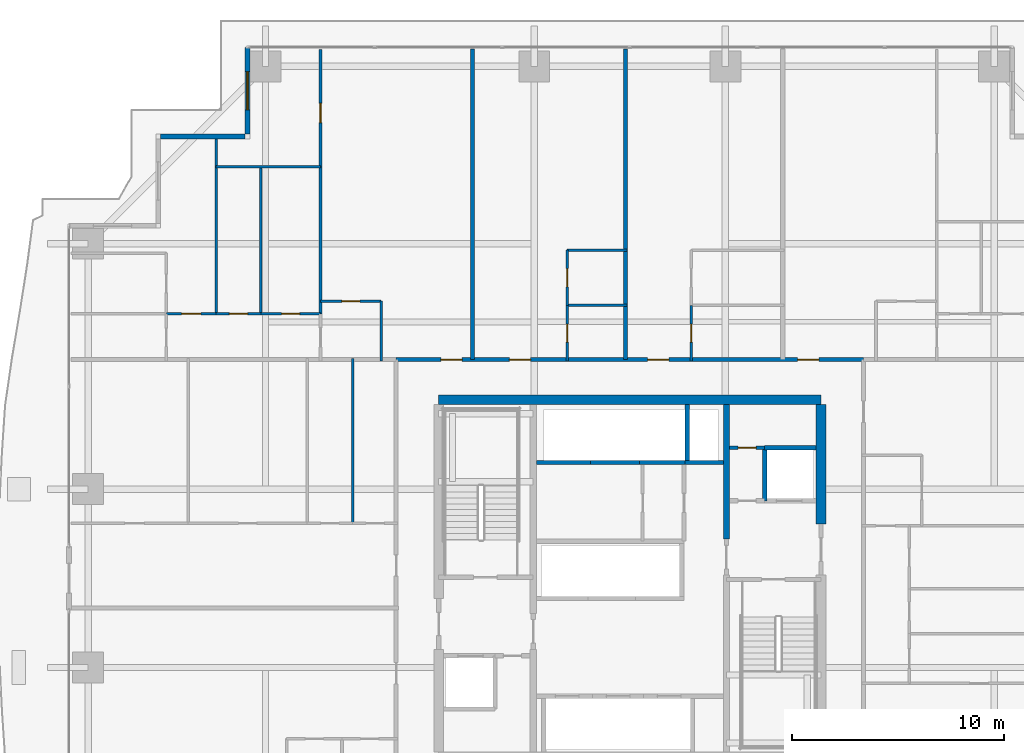
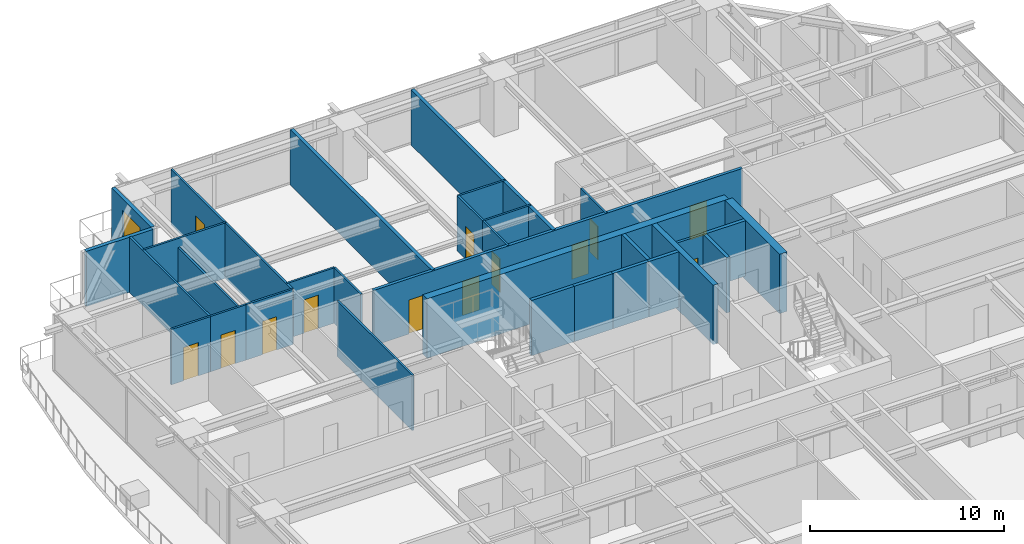
# One storey, part 31 of 41: 32 walls, 13 doors, 1 window, 14 openings.
"""IFC4 building model written with IfcOpenShell, lengths in metres."""

from ifc_helpers import new_model, si_unit, direction, frame, frame_2d, origin, place, context, subcontext, project, spatial, rectangle, extrude, source, transform, mapped, material, layer, layer_set, type_object, element, fill, save


model = new_model("IFC4")

# Units and contexts
model_context = context("Model", 3, precision=1e-05, world=origin(), true_north=direction((0.0, 1.0)))
body_context = subcontext(model_context, "Body", "Model", "MODEL_VIEW")
ifc_project = project(units=[si_unit("LENGTHUNIT", "METRE"), si_unit("AREAUNIT", "SQUARE_METRE"), si_unit("VOLUMEUNIT", "CUBIC_METRE"), si_unit("PLANEANGLEUNIT", "RADIAN"), si_unit("MASSUNIT", "GRAM", prefix="KILO")], contexts=[model_context])

# Site, building, storey
site_placement = place(None, origin())
site = spatial("IfcSite", under=ifc_project, at=site_placement, CompositionType="ELEMENT")
building_placement = place(site_placement, origin())
building = spatial("IfcBuilding", under=site, at=building_placement, Name="Serunith Strait Residences", CompositionType="ELEMENT")
storey_placement = place(building_placement, frame((0.0, 0.0, 45.449951171875)))
storey = spatial("IfcBuildingStorey", under=building, at=storey_placement, Name="L10", CompositionType="ELEMENT", Elevation=45.449951171875)

# Wall, opening, window
ifc_material_1 = material(Name="Pale-Champagne Aluminium Insulated Panel", Category="aluminium")
ifc_layer_1 = layer(ifc_material_1, 0.219970703125, Name="Pale-Champagne Aluminium Insulated Panel")
ifc_layer_set_1 = layer_set([ifc_layer_1], Name="Pale-Champagne Aluminium Insulated Panel")
wall_type_1 = type_object("IfcWallType", Name="EW-ALUM-220", PredefinedType="ELEMENTEDWALL", material=ifc_layer_set_1)
wall_1_placement = place(storey_placement, frame((14.39990234375, 50.199951171875, 0.0), z_axis=(0.0, 0.0, 1.0), x_axis=(0.0, -1.0, 0.0)))
wall_1 = element("IfcWall", 1, at=wall_1_placement, inside=storey, type_object=wall_type_1, Name="L10 Girih Serrated Corner Wall 12", PredefinedType="ELEMENTEDWALL", context=body_context, shape_type="SweptSolid", body=[
    extrude(rectangle(XDim=4.08984375, YDim=0.219970703125, at=frame_2d((2.044921875, 0.0))), origin(), (0.0, 0.0, 1.0), 3.47509765625),
])
opening_1_placement = place(wall_1_placement, frame((1.14501953125, 0.0, 0.64990234375)))
opening_1 = element("IfcOpeningElement", 2, at=opening_1_placement, cuts=wall_1, Name="Opening W-01", PredefinedType="OPENING", context=body_context, shape_type="SweptSolid", body=[
    extrude(rectangle(XDim=1.800048828125, YDim=2.10009765625, at=frame_2d((0.89990234375, 1.050048828125))), frame((0.0, 0.1201171875, 0.0), z_axis=(0.0, -1.0, 0.0), x_axis=(1.0, 0.0, 0.0)), (0.0, 0.0, 1.0), 0.239990234375),
])
ifc_material_2 = material(Name="Ceramic-Fritted Operable Aluminium Window Glass", Category="aluminium")
window_type = type_object("IfcWindowType", Name="WIN-C1", PartitioningType="DOUBLE_PANEL_VERTICAL", PredefinedType="WINDOW", material=ifc_material_2)
shared_shape_1 = source(origin(), body_context, "Body", "SweptSolid", [
    extrude(rectangle(XDim=1.800048828125, YDim=2.10009765625, at=frame_2d((0.89990234375, 1.050048828125))), frame((0.0, 0.030029296875, 0.0), z_axis=(0.0, -1.0, 0.0), x_axis=(1.0, 0.0, 0.0)), (0.0, 0.0, 1.0), 0.06005859375),
])
window_placement = place(opening_1_placement, origin())
window = element("IfcWindow", 3, at=window_placement, inside=storey, type_object=window_type, Name="L10 Corner Operable Fritted Window 12", OverallHeight=2.10009765625, OverallWidth=1.800048828125, PartitioningType="SINGLE_PANEL", PredefinedType="WINDOW", context=body_context, shape_type="MappedRepresentation", body=[
    mapped(shared_shape_1, transform((0.0, 0.0, 0.0), scale=1.0)),
])
fill(opening_1, window)

# Wall
wall_2_placement = place(storey_placement, frame((14.2900390625, 46.0, 0.0), z_axis=(0.0, 0.0, 1.0), x_axis=(-1.0, 0.0, 0.0)))
element("IfcWall", 4, at=wall_2_placement, inside=storey, type_object=wall_type_1, Name="L10 Girih Serrated Corner Wall 13", PredefinedType="ELEMENTEDWALL", context=body_context, shape_type="SweptSolid", body=[
    extrude(rectangle(XDim=3.97998046875, YDim=0.219970703125, at=frame_2d((1.989990234375, 0.0))), origin(), (0.0, 0.0, 1.0), 3.47509765625),
])

# Wall, opening, door
ifc_material_3 = material(Name="Fire-rated masonry service closet wall", Category="masonry")
ifc_layer_2 = layer(ifc_material_3, 0.14990234375, Name="Fire-rated masonry service closet wall")
ifc_layer_set_2 = layer_set([ifc_layer_2], Name="Fire-rated masonry service closet wall")
wall_type_2 = type_object("IfcWallType", Name="IW-BOH-150", PredefinedType="PARTITIONING", material=ifc_layer_set_2)
wall_3_placement = place(storey_placement, frame((37.10009765625, 31.35009765625, 0.0), z_axis=(0.0, 0.0, 1.0), x_axis=(1.0, 0.0, 0.0)))
wall_3 = element("IfcWall", 5, at=wall_3_placement, inside=storey, type_object=wall_type_2, Name="L10 Partition Wall 012", PredefinedType="PARTITIONING", context=body_context, shape_type="SweptSolid", body=[
    extrude(rectangle(XDim=1.64794921875, YDim=0.14990234375, at=frame_2d((0.823974609375, 0.0))), origin(), (0.0, 0.0, 1.0), 3.489990234375),
])
opening_2_placement = place(wall_3_placement, frame((0.39892578125, 0.0, 0.0)))
opening_2 = element("IfcOpeningElement", 6, at=opening_2_placement, cuts=wall_3, Name="Opening FD-850", PredefinedType="OPENING", context=body_context, shape_type="SweptSolid", body=[
    extrude(rectangle(XDim=0.85009765625, YDim=2.10009765625, at=frame_2d((0.425048828125, 1.050048828125))), frame((0.0, 0.0849609375, 0.0), z_axis=(0.0, -1.0, 0.0), x_axis=(1.0, 0.0, 0.0)), (0.0, 0.0, 1.0), 0.169921875),
])
ifc_material_4 = material(Name="Powder-coated steel service closet door", Category="steel")
door_type_1 = type_object("IfcDoorType", Name="FD-BOH-850", OperationType="NOTDEFINED", PredefinedType="DOOR", material=ifc_material_4)
shared_shape_2 = source(origin(), body_context, "Body", "SweptSolid", [
    extrude(rectangle(XDim=0.85009765625, YDim=2.10009765625, at=frame_2d((0.425048828125, 1.050048828125))), frame((0.0, 0.02490234375, 0.0), z_axis=(0.0, -1.0, 0.0), x_axis=(1.0, 0.0, 0.0)), (0.0, 0.0, 1.0), 0.050048828125),
])
door_1_placement = place(opening_2_placement, origin())
door_1 = element("IfcDoor", 7, at=door_1_placement, inside=storey, type_object=door_type_1, Name="L10 Spare Parts Store Door", OperationType="SINGLE_SWING_LEFT", OverallHeight=2.10009765625, OverallWidth=0.85009765625, PredefinedType="DOOR", context=body_context, shape_type="MappedRepresentation", body=[
    mapped(shared_shape_2, transform((0.0, 0.0, 0.0), scale=1.0)),
])
fill(opening_2, door_1)

# Wall, openings, doors
ifc_material_5 = material(Name="Fire-rated acoustic gypsum partition")
ifc_layer_3 = layer(ifc_material_5, 0.179931640625, Name="Fire-rated acoustic gypsum partition")
ifc_layer_set_3 = layer_set([ifc_layer_3], Name="Fire-rated acoustic gypsum partition")
wall_type_3 = type_object("IfcWallType", Name="IW-CORR-180", PredefinedType="PARTITIONING", material=ifc_layer_set_3)
wall_4_placement = place(storey_placement, frame((21.402099609375, 35.5, 0.0), z_axis=(0.0, 0.0, 1.0), x_axis=(1.0, 0.0, 0.0)))
wall_4 = element("IfcWall", 8, at=wall_4_placement, inside=storey, type_object=wall_type_3, Name="L10 Partition Wall 026", PredefinedType="PARTITIONING", context=body_context, shape_type="SweptSolid", body=[
    extrude(rectangle(XDim=21.995849609375, YDim=0.179931640625, at=frame_2d((10.998046875, 0.0))), origin(), (0.0, 0.0, 1.0), 3.489990234375),
])
opening_3_placement = place(wall_4_placement, frame((2.10009765625, 0.0, 0.0)))
opening_3 = element("IfcOpeningElement", 9, at=opening_3_placement, cuts=wall_4, Name="Opening D-APT1000", PredefinedType="OPENING", context=body_context, shape_type="SweptSolid", body=[
    extrude(rectangle(XDim=1.0, YDim=2.14990234375, at=frame_2d((0.5, 1.074951171875))), frame((0.0, 0.10009765625, 0.0), z_axis=(0.0, -1.0, 0.0), x_axis=(1.0, 0.0, 0.0)), (0.0, 0.0, 1.0), 0.199951171875),
])
opening_4_placement = place(wall_4_placement, frame((5.3330078125, 0.0, 0.0)))
opening_4 = element("IfcOpeningElement", 10, at=opening_4_placement, cuts=wall_4, Name="Opening D-APT1000", PredefinedType="OPENING", context=body_context, shape_type="SweptSolid", body=[
    extrude(rectangle(XDim=1.0, YDim=2.14990234375, at=frame_2d((0.5, 1.074951171875))), frame((0.0, 0.10009765625, 0.0), z_axis=(0.0, -1.0, 0.0), x_axis=(1.0, 0.0, 0.0)), (0.0, 0.0, 1.0), 0.199951171875),
])
opening_5_placement = place(wall_4_placement, frame((11.842041015625, 0.0, 0.0)))
opening_5 = element("IfcOpeningElement", 11, at=opening_5_placement, cuts=wall_4, Name="Opening D-APT1000", PredefinedType="OPENING", context=body_context, shape_type="SweptSolid", body=[
    extrude(rectangle(XDim=1.0, YDim=2.14990234375, at=frame_2d((0.5, 1.074951171875))), frame((0.0, 0.10009765625, 0.0), z_axis=(0.0, -1.0, 0.0), x_axis=(1.0, 0.0, 0.0)), (0.0, 0.0, 1.0), 0.199951171875),
])
opening_6_placement = place(wall_4_placement, frame((18.89599609375, 0.0, 0.0)))
opening_6 = element("IfcOpeningElement", 12, at=opening_6_placement, cuts=wall_4, Name="Opening D-APT1000", PredefinedType="OPENING", context=body_context, shape_type="SweptSolid", body=[
    extrude(rectangle(XDim=1.0, YDim=2.14990234375, at=frame_2d((0.5, 1.074951171875))), frame((0.0, 0.10009765625, 0.0), z_axis=(0.0, -1.0, 0.0), x_axis=(1.0, 0.0, 0.0)), (0.0, 0.0, 1.0), 0.199951171875),
])
ifc_material_6 = material(Name="Solid timber engineered fire door", Category="wood")
door_type_2 = type_object("IfcDoorType", Name="ID-APT-1000", OperationType="NOTDEFINED", PredefinedType="DOOR", material=ifc_material_6)
shared_shape_3 = source(origin(), body_context, "Body", "SweptSolid", [
    extrude(rectangle(XDim=1.0, YDim=2.14990234375, at=frame_2d((0.5, 1.074951171875))), frame((0.0, 0.02490234375, 0.0), z_axis=(0.0, -1.0, 0.0), x_axis=(1.0, 0.0, 0.0)), (0.0, 0.0, 1.0), 0.050048828125),
])
door_2_placement = place(opening_3_placement, origin())
door_2 = element("IfcDoor", 13, at=door_2_placement, inside=storey, type_object=door_type_2, Name="L10 Unit 04 Entrance Door", OperationType="SINGLE_SWING_LEFT", OverallHeight=2.14990234375, OverallWidth=1.0, PredefinedType="DOOR", context=body_context, shape_type="MappedRepresentation", body=[
    mapped(shared_shape_3, transform((0.0, 0.0, 0.0), scale=1.0)),
])
fill(opening_3, door_2)
door_3_placement = place(opening_4_placement, origin())
door_3 = element("IfcDoor", 14, at=door_3_placement, inside=storey, type_object=door_type_2, Name="L10 Unit 05 Entrance Door", OperationType="SINGLE_SWING_RIGHT", OverallHeight=2.14990234375, OverallWidth=1.0, PredefinedType="DOOR", context=body_context, shape_type="MappedRepresentation", body=[
    mapped(shared_shape_3, transform((0.0, 0.0, 0.0), scale=1.0)),
])
fill(opening_4, door_3)
door_4_placement = place(opening_5_placement, origin())
door_4 = element("IfcDoor", 15, at=door_4_placement, inside=storey, type_object=door_type_2, Name="L10 Unit 06 Entrance Door", OperationType="SINGLE_SWING_LEFT", OverallHeight=2.14990234375, OverallWidth=1.0, PredefinedType="DOOR", context=body_context, shape_type="MappedRepresentation", body=[
    mapped(shared_shape_3, transform((0.0, 0.0, 0.0), scale=1.0)),
])
fill(opening_5, door_4)
door_5_placement = place(opening_6_placement, origin())
door_5 = element("IfcDoor", 16, at=door_5_placement, inside=storey, type_object=door_type_2, Name="L10 Unit 07 Entrance Door", OperationType="SINGLE_SWING_RIGHT", OverallHeight=2.14990234375, OverallWidth=1.0, PredefinedType="DOOR", context=body_context, shape_type="MappedRepresentation", body=[
    mapped(shared_shape_3, transform((0.0, 0.0, 0.0), scale=1.0)),
])
fill(opening_6, door_5)

# Wall, opening, door
ifc_material_7 = material(Name="Lightweight steel-stud gypsum partition", Category="steel")
ifc_layer_4 = layer(ifc_material_7, 0.1201171875, Name="Lightweight steel-stud gypsum partition")
ifc_layer_set_4 = layer_set([ifc_layer_4], Name="Lightweight steel-stud gypsum partition")
wall_type_4 = type_object("IfcWallType", Name="IW-PART-120", PredefinedType="PARTITIONING", material=ifc_layer_set_4)
wall_5_placement = place(storey_placement, frame((17.840087890625, 38.25, 0.0), z_axis=(0.0, 0.0, 1.0), x_axis=(1.0, 0.0, 0.0)))
wall_5 = element("IfcWall", 17, at=wall_5_placement, inside=storey, type_object=wall_type_4, Name="L10 Partition Wall 066", PredefinedType="PARTITIONING", context=body_context, shape_type="SweptSolid", body=[
    extrude(rectangle(XDim=2.849853515625, YDim=0.1201171875, at=frame_2d((1.4248046875, 0.0))), origin(), (0.0, 0.0, 1.0), 3.489990234375),
])
opening_7_placement = place(wall_5_placement, frame((1.0, 0.0, 0.0)))
opening_7 = element("IfcOpeningElement", 18, at=opening_7_placement, cuts=wall_5, Name="Opening D-RM850", PredefinedType="OPENING", context=body_context, shape_type="SweptSolid", body=[
    extrude(rectangle(XDim=0.85009765625, YDim=2.10009765625, at=frame_2d((0.425048828125, 1.050048828125))), frame((0.0, 0.070068359375, 0.0), z_axis=(0.0, -1.0, 0.0), x_axis=(1.0, 0.0, 0.0)), (0.0, 0.0, 1.0), 0.14013671875),
])
ifc_material_8 = material(Name="Engineered timber flush study and kitchen door", Category="wood")
door_type_3 = type_object("IfcDoorType", Name="ID-ROOM-850", OperationType="NOTDEFINED", PredefinedType="DOOR", material=ifc_material_8)
door_6_placement = place(opening_7_placement, origin())
door_6 = element("IfcDoor", 19, at=door_6_placement, inside=storey, type_object=door_type_3, Name="L10 Kitchen 1004 Door", OperationType="SINGLE_SWING_RIGHT", OverallHeight=2.10009765625, OverallWidth=0.85009765625, PredefinedType="DOOR", context=body_context, shape_type="MappedRepresentation", body=[
    mapped(shared_shape_2, transform((0.0, 0.0, 0.0), scale=1.0)),
])
fill(opening_7, door_6)

# Wall
wall_6_placement = place(storey_placement, frame((20.68994140625, 38.25, 0.0), z_axis=(0.0, 0.0, 1.0), x_axis=(0.0, -1.0, 0.0)))
element("IfcWall", 20, at=wall_6_placement, inside=storey, type_object=wall_type_4, Name="L10 Partition Wall 067", PredefinedType="PARTITIONING", context=body_context, shape_type="SweptSolid", body=[
    extrude(rectangle(XDim=2.81005859375, YDim=0.1201171875, at=frame_2d((1.405029296875, 0.0))), origin(), (0.0, 0.0, 1.0), 3.489990234375),
])

# Wall, opening, door
wall_7_placement = place(storey_placement, frame((17.840087890625, 50.10498046875, 0.0), z_axis=(0.0, 0.0, 1.0), x_axis=(0.0, -1.0, 0.0)))
wall_7 = element("IfcWall", 21, at=wall_7_placement, inside=storey, type_object=wall_type_4, Name="L10 Partition Wall 069", PredefinedType="PARTITIONING", context=body_context, shape_type="SweptSolid", body=[
    extrude(rectangle(XDim=5.5380859375, YDim=0.1201171875, at=frame_2d((2.76904296875, 0.0))), origin(), (0.0, 0.0, 1.0), 3.489990234375),
])
opening_8_placement = place(wall_7_placement, frame((2.551025390625, 0.0, 0.0)))
opening_8 = element("IfcOpeningElement", 22, at=opening_8_placement, cuts=wall_7, Name="Opening D-RM900", PredefinedType="OPENING", context=body_context, shape_type="SweptSolid", body=[
    extrude(rectangle(XDim=0.89990234375, YDim=2.10009765625, at=frame_2d((0.449951171875, 1.050048828125))), frame((0.0, 0.070068359375, 0.0), z_axis=(0.0, -1.0, 0.0), x_axis=(1.0, 0.0, 0.0)), (0.0, 0.0, 1.0), 0.14013671875),
])
ifc_material_9 = material(Name="Engineered timber flush bedroom door", Category="wood")
door_type_4 = type_object("IfcDoorType", Name="ID-ROOM-900", OperationType="NOTDEFINED", PredefinedType="DOOR", material=ifc_material_9)
shared_shape_4 = source(origin(), body_context, "Body", "SweptSolid", [
    extrude(rectangle(XDim=0.89990234375, YDim=2.10009765625, at=frame_2d((0.449951171875, 1.050048828125))), frame((0.0, 0.02490234375, 0.0), z_axis=(0.0, -1.0, 0.0), x_axis=(1.0, 0.0, 0.0)), (0.0, 0.0, 1.0), 0.050048828125),
])
door_7_placement = place(opening_8_placement, origin())
door_7 = element("IfcDoor", 23, at=door_7_placement, inside=storey, type_object=door_type_4, Name="L10 Study 1 1004 Door", OperationType="SINGLE_SWING_RIGHT", OverallHeight=2.10009765625, OverallWidth=0.89990234375, PredefinedType="DOOR", context=body_context, shape_type="MappedRepresentation", body=[
    mapped(shared_shape_4, transform((0.0, 0.0, 0.0), scale=1.0)),
])
fill(opening_8, door_7)

# Walls
wall_8_placement = place(storey_placement, frame((17.840087890625, 44.56494140625, 0.0), z_axis=(0.0, 0.0, 1.0), x_axis=(0.0, -1.0, 0.0)))
element("IfcWall", 24, at=wall_8_placement, inside=storey, type_object=wall_type_4, Name="L10 Partition Wall 070", PredefinedType="PARTITIONING", context=body_context, shape_type="SweptSolid", body=[
    extrude(rectangle(XDim=6.912841796875, YDim=0.1201171875, at=frame_2d((3.45654296875, 0.0))), origin(), (0.0, 0.0, 1.0), 3.489990234375),
])
wall_9_placement = place(storey_placement, frame((12.929931640625, 44.56689453125, 0.0), z_axis=(0.0, 0.0, 1.0), x_axis=(1.0, 0.0, 0.0)))
element("IfcWall", 25, at=wall_9_placement, inside=storey, type_object=wall_type_4, Name="L10 Partition Wall 071", PredefinedType="PARTITIONING", context=body_context, shape_type="SweptSolid", body=[
    extrude(rectangle(XDim=4.91015625, YDim=0.1201171875, at=frame_2d((2.455078125, 0.0))), origin(), (0.0, 0.0, 1.0), 3.489990234375),
])
wall_10_placement = place(storey_placement, frame((12.929931640625, 45.905029296875, 0.0), z_axis=(0.0, 0.0, 1.0), x_axis=(0.0, -1.0, 0.0)))
element("IfcWall", 26, at=wall_10_placement, inside=storey, type_object=wall_type_4, Name="L10 Partition Wall 072", PredefinedType="PARTITIONING", context=body_context, shape_type="SweptSolid", body=[
    extrude(rectangle(XDim=8.255126953125, YDim=0.1201171875, at=frame_2d((4.12744140625, 0.0))), origin(), (0.0, 0.0, 1.0), 3.489990234375),
])
wall_11_placement = place(storey_placement, frame((15.030029296875, 44.56689453125, 0.0), z_axis=(0.0, 0.0, 1.0), x_axis=(0.0, -1.0, 0.0)))
element("IfcWall", 27, at=wall_11_placement, inside=storey, type_object=wall_type_4, Name="L10 Partition Wall 073", PredefinedType="PARTITIONING", context=body_context, shape_type="SweptSolid", body=[
    extrude(rectangle(XDim=6.9169921875, YDim=0.1201171875, at=frame_2d((3.45849609375, 0.0))), origin(), (0.0, 0.0, 1.0), 2.922119140625),
])

# Wall, opening, door
wall_12_placement = place(storey_placement, frame((12.929931640625, 37.64990234375, 0.0), z_axis=(0.0, 0.0, 1.0), x_axis=(1.0, 0.0, 0.0)))
wall_12 = element("IfcWall", 28, at=wall_12_placement, inside=storey, type_object=wall_type_4, Name="L10 Partition Wall 074", PredefinedType="PARTITIONING", context=body_context, shape_type="SweptSolid", body=[
    extrude(rectangle(XDim=2.10009765625, YDim=0.1201171875, at=frame_2d((1.050048828125, 0.0))), origin(), (0.0, 0.0, 1.0), 3.489990234375),
])
opening_9_placement = place(wall_12_placement, frame((0.625, 0.0, 0.0)))
opening_9 = element("IfcOpeningElement", 29, at=opening_9_placement, cuts=wall_12, Name="Opening D-BTH850", PredefinedType="OPENING", context=body_context, shape_type="SweptSolid", body=[
    extrude(rectangle(XDim=0.85009765625, YDim=2.10009765625, at=frame_2d((0.425048828125, 1.050048828125))), frame((0.0, 0.070068359375, 0.0), z_axis=(0.0, -1.0, 0.0), x_axis=(1.0, 0.0, 0.0)), (0.0, 0.0, 1.0), 0.14013671875),
])
ifc_material_10 = material(Name="Moisture-resistant timber bathroom door", Category="wood")
door_type_5 = type_object("IfcDoorType", Name="ID-BATH-850", OperationType="NOTDEFINED", PredefinedType="DOOR", material=ifc_material_10)
door_8_placement = place(opening_9_placement, origin())
door_8 = element("IfcDoor", 30, at=door_8_placement, inside=storey, type_object=door_type_5, Name="L10 Bathroom 1004 Door", OperationType="SINGLE_SWING_LEFT", OverallHeight=2.10009765625, OverallWidth=0.85009765625, PredefinedType="DOOR", context=body_context, shape_type="MappedRepresentation", body=[
    mapped(shared_shape_2, transform((0.0, 0.0, 0.0), scale=1.0)),
])
fill(opening_9, door_8)

wall_13_placement = place(storey_placement, frame((15.031982421875, 37.64990234375, 0.0), z_axis=(0.0, 0.0, 1.0), x_axis=(1.0, 0.0, 0.0)))
wall_13 = element("IfcWall", 31, at=wall_13_placement, inside=storey, type_object=wall_type_4, Name="L10 Partition Wall 075", PredefinedType="PARTITIONING", context=body_context, shape_type="SweptSolid", body=[
    extrude(rectangle(XDim=2.80810546875, YDim=0.1201171875, at=frame_2d((1.404052734375, 0.0))), origin(), (0.0, 0.0, 1.0), 3.489990234375),
])
opening_10_placement = place(wall_13_placement, frame((0.97900390625, 0.0, 0.0)))
opening_10 = element("IfcOpeningElement", 32, at=opening_10_placement, cuts=wall_13, Name="Opening D-RM850", PredefinedType="OPENING", context=body_context, shape_type="SweptSolid", body=[
    extrude(rectangle(XDim=0.85009765625, YDim=2.10009765625, at=frame_2d((0.425048828125, 1.050048828125))), frame((0.0, 0.070068359375, 0.0), z_axis=(0.0, -1.0, 0.0), x_axis=(1.0, 0.0, 0.0)), (0.0, 0.0, 1.0), 0.14013671875),
])
door_9_placement = place(opening_10_placement, origin())
door_9 = element("IfcDoor", 33, at=door_9_placement, inside=storey, type_object=door_type_3, Name="L10 Study 1004 Door", OperationType="SINGLE_SWING_RIGHT", OverallHeight=2.10009765625, OverallWidth=0.85009765625, PredefinedType="DOOR", context=body_context, shape_type="MappedRepresentation", body=[
    mapped(shared_shape_2, transform((0.0, 0.0, 0.0), scale=1.0)),
])
fill(opening_10, door_9)

wall_14_placement = place(storey_placement, frame((10.580078125, 37.64990234375, 0.0), z_axis=(0.0, 0.0, 1.0), x_axis=(1.0, 0.0, 0.0)))
wall_14 = element("IfcWall", 34, at=wall_14_placement, inside=storey, type_object=wall_type_4, Name="L10 Partition Wall 076", PredefinedType="PARTITIONING", context=body_context, shape_type="SweptSolid", body=[
    extrude(rectangle(XDim=2.347900390625, YDim=0.1201171875, at=frame_2d((1.173828125, 0.0))), origin(), (0.0, 0.0, 1.0), 3.489990234375),
])
opening_11_placement = place(wall_14_placement, frame((0.72412109375, 0.0, 0.0)))
opening_11 = element("IfcOpeningElement", 35, at=opening_11_placement, cuts=wall_14, Name="Opening D-RM900", PredefinedType="OPENING", context=body_context, shape_type="SweptSolid", body=[
    extrude(rectangle(XDim=0.89990234375, YDim=2.10009765625, at=frame_2d((0.449951171875, 1.050048828125))), frame((0.0, 0.070068359375, 0.0), z_axis=(0.0, -1.0, 0.0), x_axis=(1.0, 0.0, 0.0)), (0.0, 0.0, 1.0), 0.14013671875),
])
door_10_placement = place(opening_11_placement, origin())
door_10 = element("IfcDoor", 36, at=door_10_placement, inside=storey, type_object=door_type_4, Name="L10 Master Bedroom W 1004 Door", OperationType="SINGLE_SWING_LEFT", OverallHeight=2.10009765625, OverallWidth=0.89990234375, PredefinedType="DOOR", context=body_context, shape_type="MappedRepresentation", body=[
    mapped(shared_shape_4, transform((0.0, 0.0, 0.0), scale=1.0)),
])
fill(opening_11, door_10)

wall_15_placement = place(storey_placement, frame((29.449951171875, 40.64990234375, 0.0), z_axis=(0.0, 0.0, 1.0), x_axis=(0.0, -1.0, 0.0)))
wall_15 = element("IfcWall", 37, at=wall_15_placement, inside=storey, type_object=wall_type_4, Name="L10 Partition Wall 081", PredefinedType="PARTITIONING", context=body_context, shape_type="SweptSolid", body=[
    extrude(rectangle(XDim=2.599853515625, YDim=0.1201171875, at=frame_2d((1.2998046875, 0.0))), origin(), (0.0, 0.0, 1.0), 3.489990234375),
])
opening_12_placement = place(wall_15_placement, frame((0.875, 0.0, 0.0)))
opening_12 = element("IfcOpeningElement", 38, at=opening_12_placement, cuts=wall_15, Name="Opening D-RM850", PredefinedType="OPENING", context=body_context, shape_type="SweptSolid", body=[
    extrude(rectangle(XDim=0.85009765625, YDim=2.10009765625, at=frame_2d((0.425048828125, 1.050048828125))), frame((0.0, 0.070068359375, 0.0), z_axis=(0.0, -1.0, 0.0), x_axis=(1.0, 0.0, 0.0)), (0.0, 0.0, 1.0), 0.14013671875),
])
door_11_placement = place(opening_12_placement, origin())
door_11 = element("IfcDoor", 39, at=door_11_placement, inside=storey, type_object=door_type_3, Name="L10 Kitchen 1005 Door", OperationType="SINGLE_SWING_RIGHT", OverallHeight=2.10009765625, OverallWidth=0.85009765625, PredefinedType="DOOR", context=body_context, shape_type="MappedRepresentation", body=[
    mapped(shared_shape_2, transform((0.0, 0.0, 0.0), scale=1.0)),
])
fill(opening_12, door_11)

wall_16_placement = place(storey_placement, frame((29.449951171875, 38.048095703125, 0.0), z_axis=(0.0, 0.0, 1.0), x_axis=(0.0, -1.0, 0.0)))
wall_16 = element("IfcWall", 40, at=wall_16_placement, inside=storey, type_object=wall_type_4, Name="L10 Partition Wall 082", PredefinedType="PARTITIONING", context=body_context, shape_type="SweptSolid", body=[
    extrude(rectangle(XDim=2.608154296875, YDim=0.1201171875, at=frame_2d((1.30419921875, 0.0))), origin(), (0.0, 0.0, 1.0), 3.489990234375),
])
opening_13_placement = place(wall_16_placement, frame((0.87890625, 0.0, 0.0)))
opening_13 = element("IfcOpeningElement", 41, at=opening_13_placement, cuts=wall_16, Name="Opening D-BTH850", PredefinedType="OPENING", context=body_context, shape_type="SweptSolid", body=[
    extrude(rectangle(XDim=0.85009765625, YDim=2.10009765625, at=frame_2d((0.425048828125, 1.050048828125))), frame((0.0, 0.070068359375, 0.0), z_axis=(0.0, -1.0, 0.0), x_axis=(1.0, 0.0, 0.0)), (0.0, 0.0, 1.0), 0.14013671875),
])
door_12_placement = place(opening_13_placement, origin())
door_12 = element("IfcDoor", 42, at=door_12_placement, inside=storey, type_object=door_type_5, Name="L10 Bathroom 1005 Door", OperationType="SINGLE_SWING_LEFT", OverallHeight=2.10009765625, OverallWidth=0.85009765625, PredefinedType="DOOR", context=body_context, shape_type="MappedRepresentation", body=[
    mapped(shared_shape_2, transform((0.0, 0.0, 0.0), scale=1.0)),
])
fill(opening_13, door_12)

# Walls
for number, where, z_axis, x_axis, name in (
    (43, (29.449951171875, 38.050048828125, 0.0), (0.0, 0.0, 1.0), (1.0, 0.0, 0.0), "L10 Partition Wall 083"),
    (44, (29.449951171875, 40.64990234375, 0.0), (0.0, 0.0, 1.0), (1.0, 0.0, 0.0), "L10 Partition Wall 084"),
):
    element("IfcWall", number, at=place(storey_placement, frame(where, z_axis=z_axis, x_axis=x_axis)), inside=storey, type_object=wall_type_4, Name=name, PredefinedType="PARTITIONING", context=body_context, shape_type="SweptSolid", body=[
        extrude(rectangle(XDim=2.81005859375, YDim=0.1201171875, at=frame_2d((1.405029296875, 0.0))), origin(), (0.0, 0.0, 1.0), 3.489990234375),
    ])

# Wall, opening, door
wall_17_placement = place(storey_placement, frame((35.300048828125, 38.048095703125, 0.0), z_axis=(0.0, 0.0, 1.0), x_axis=(0.0, -1.0, 0.0)))
wall_17 = element("IfcWall", 45, at=wall_17_placement, inside=storey, type_object=wall_type_4, Name="L10 Partition Wall 086", PredefinedType="PARTITIONING", context=body_context, shape_type="SweptSolid", body=[
    extrude(rectangle(XDim=2.608154296875, YDim=0.1201171875, at=frame_2d((1.30419921875, 0.0))), origin(), (0.0, 0.0, 1.0), 3.489990234375),
])
opening_14_placement = place(wall_17_placement, frame((0.87890625, 0.0, 0.0)))
opening_14 = element("IfcOpeningElement", 46, at=opening_14_placement, cuts=wall_17, Name="Opening D-BTH850", PredefinedType="OPENING", context=body_context, shape_type="SweptSolid", body=[
    extrude(rectangle(XDim=0.85009765625, YDim=2.10009765625, at=frame_2d((0.425048828125, 1.050048828125))), frame((0.0, 0.070068359375, 0.0), z_axis=(0.0, -1.0, 0.0), x_axis=(1.0, 0.0, 0.0)), (0.0, 0.0, 1.0), 0.14013671875),
])
door_13_placement = place(opening_14_placement, origin())
door_13 = element("IfcDoor", 47, at=door_13_placement, inside=storey, type_object=door_type_5, Name="L10 Bathroom 1006 Door", OperationType="SINGLE_SWING_LEFT", OverallHeight=2.10009765625, OverallWidth=0.85009765625, PredefinedType="DOOR", context=body_context, shape_type="MappedRepresentation", body=[
    mapped(shared_shape_2, transform((0.0, 0.0, 0.0), scale=1.0)),
])
fill(opening_14, door_13)

# Walls
wall_18_placement = place(storey_placement, frame((19.35009765625, 27.800048828125, 0.0), z_axis=(0.0, 0.0, 1.0), x_axis=(0.0, 1.0, 0.0)))
element("IfcWall", 48, at=wall_18_placement, inside=storey, type_object=wall_type_4, Name="L10 Partition Wall 111", PredefinedType="PARTITIONING", context=body_context, shape_type="SweptSolid", body=[
    extrude(rectangle(XDim=7.760009765625, YDim=0.1201171875, at=frame_2d((3.8798828125, 0.0))), origin(), (0.0, 0.0, 1.0), 3.489990234375),
])
ifc_material_11 = material(Name="Twin-stud acoustic gypsum board partition")
ifc_layer_5 = layer(ifc_material_11, 0.199951171875, Name="Twin-stud acoustic gypsum board partition")
ifc_layer_set_5 = layer_set([ifc_layer_5], Name="Twin-stud acoustic gypsum board partition")
wall_type_5 = type_object("IfcWallType", Name="IW-PARTY-200", PredefinedType="PARTITIONING", material=ifc_layer_set_5)
for number, where, z_axis, x_axis, name in (
    (49, (25.0, 35.5, 0.0), (0.0, 0.0, 1.0), (0.0, 1.0, 0.0), "L10 Partition Wall 017"),
    (50, (32.199951171875, 35.5, 0.0), (0.0, 0.0, 1.0), (0.0, 1.0, 0.0), "L10 Partition Wall 018"),
):
    element("IfcWall", number, at=place(storey_placement, frame(where, z_axis=z_axis, x_axis=x_axis)), inside=storey, type_object=wall_type_5, Name=name, PredefinedType="PARTITIONING", context=body_context, shape_type="SweptSolid", body=[
        extrude(rectangle(XDim=14.617919921875, YDim=0.199951171875, at=frame_2d((7.30908203125, 0.0))), origin(), (0.0, 0.0, 1.0), 3.489990234375),
    ])
ifc_material_12 = material(Name="Autoclaved aerated concrete blockwork", Category="masonry")
ifc_layer_6 = layer(ifc_material_12, 0.199951171875, Name="Autoclaved aerated concrete blockwork")
ifc_layer_set_6 = layer_set([ifc_layer_6], Name="Autoclaved aerated concrete blockwork")
wall_type_6 = type_object("IfcWallType", Name="IW-SHAFT-200", PredefinedType="STANDARD", material=ifc_layer_set_6)
wall_19_placement = place(storey_placement, frame((28.0, 30.64990234375, 0.0), z_axis=(0.0, 0.0, 1.0), x_axis=(1.0, 0.0, 0.0)))
element("IfcWall", 51, at=wall_19_placement, inside=storey, type_object=wall_type_6, Name="L10 PL-7 South Shaft Wall", PredefinedType="STANDARD", context=body_context, shape_type="SweptSolid", body=[
    extrude(rectangle(XDim=2.550048828125, YDim=0.199951171875, at=frame_2d((1.27490234375, 0.0))), origin(), (0.0, 0.0, 1.0), 3.489990234375),
])
wall_20_placement = place(storey_placement, frame((30.550048828125, 30.64990234375, 0.0), z_axis=(0.0, 0.0, 1.0), x_axis=(1.0, 0.0, 0.0)))
element("IfcWall", 52, at=wall_20_placement, inside=storey, type_object=wall_type_6, Name="L10 PL-8 South Shaft Wall", PredefinedType="STANDARD", context=body_context, shape_type="SweptSolid", body=[
    extrude(rectangle(XDim=2.300048828125, YDim=0.199951171875, at=frame_2d((1.14990234375, 0.0))), origin(), (0.0, 0.0, 1.0), 3.489990234375),
])
wall_21_placement = place(storey_placement, frame((32.85009765625, 30.64990234375, 0.0), z_axis=(0.0, 0.0, 1.0), x_axis=(1.0, 0.0, 0.0)))
element("IfcWall", 53, at=wall_21_placement, inside=storey, type_object=wall_type_6, Name="L10 PL-9 South Shaft Wall", PredefinedType="STANDARD", context=body_context, shape_type="SweptSolid", body=[
    extrude(rectangle(XDim=2.14990234375, YDim=0.199951171875, at=frame_2d((1.074951171875, 0.0))), origin(), (0.0, 0.0, 1.0), 3.489990234375),
])
wall_22_placement = place(storey_placement, frame((35.0, 30.64990234375, 0.0), z_axis=(0.0, 0.0, 1.0), x_axis=(1.0, 0.0, 0.0)))
element("IfcWall", 54, at=wall_22_placement, inside=storey, type_object=wall_type_6, Name="L10 SL-1 South Shaft Wall", PredefinedType="STANDARD", context=body_context, shape_type="SweptSolid", body=[
    extrude(rectangle(XDim=1.800048828125, YDim=0.199951171875, at=frame_2d((0.89990234375, 0.0))), origin(), (0.0, 0.0, 1.0), 3.489990234375),
])
wall_23_placement = place(storey_placement, frame((35.10009765625, 30.75, 0.0), z_axis=(0.0, 0.0, 1.0), x_axis=(0.0, 1.0, 0.0)))
element("IfcWall", 55, at=wall_23_placement, inside=storey, type_object=wall_type_6, Name="L10 SL-1 West Shaft Wall", PredefinedType="STANDARD", context=body_context, shape_type="SweptSolid", body=[
    extrude(rectangle(XDim=2.625, YDim=0.199951171875, at=frame_2d((1.3125, 0.0))), origin(), (0.0, 0.0, 1.0), 3.489990234375),
])
wall_24_placement = place(storey_placement, frame((38.75, 28.85009765625, 0.0), z_axis=(0.0, 0.0, 1.0), x_axis=(0.0, 1.0, 0.0)))
element("IfcWall", 56, at=wall_24_placement, inside=storey, type_object=wall_type_6, Name="L10 Partition Wall 004", PredefinedType="STANDARD", context=body_context, shape_type="SweptSolid", body=[
    extrude(rectangle(XDim=2.5, YDim=0.199951171875, at=frame_2d((1.25, 0.0))), origin(), (0.0, 0.0, 1.0), 3.489990234375),
])
wall_25_placement = place(storey_placement, frame((38.75, 31.35009765625, 0.0), z_axis=(0.0, 0.0, 1.0), x_axis=(1.0, 0.0, 0.0)))
element("IfcWall", 57, at=wall_25_placement, inside=storey, type_object=wall_type_6, Name="L10 Partition Wall 005", PredefinedType="STANDARD", context=body_context, shape_type="SweptSolid", body=[
    extrude(rectangle(XDim=2.425048828125, YDim=0.199951171875, at=frame_2d((1.21240234375, 0.0))), origin(), (0.0, 0.0, 1.0), 3.489990234375),
])
ifc_material_13 = material(Name="Concrete C80/95", Category="concrete")
ifc_layer_7 = layer(ifc_material_13, 0.300048828125, Name="Concrete C80/95")
ifc_layer_set_7 = layer_set([ifc_layer_7], Name="Concrete C80/95")
wall_type_7 = type_object("IfcWallType", Name="SW-300-C80", PredefinedType="SHEAR", material=ifc_layer_set_7)
wall_26_placement = place(storey_placement, frame((36.949951171875, 27.050048828125, -0.260009765625), z_axis=(0.0, 0.0, 1.0), x_axis=(0.0, 1.0, 0.0)))
element("IfcWall", 58, at=wall_26_placement, inside=storey, type_object=wall_type_7, Name="L10 Core Internal East Web North Pier", PredefinedType="SHEAR", context=body_context, shape_type="SweptSolid", body=[
    extrude(rectangle(XDim=6.324951171875, YDim=0.300048828125, at=frame_2d((3.16259765625, 0.0))), origin(), (0.0, 0.0, 1.0), 3.748046875),
])
ifc_layer_8 = layer(ifc_material_13, 0.449951171875, Name="Concrete C80/95")
ifc_layer_set_8 = layer_set([ifc_layer_8], Name="Concrete C80/95")
wall_type_8 = type_object("IfcWallType", Name="SW-450-C80", PredefinedType="SHEAR", material=ifc_layer_set_8)
wall_27_placement = place(storey_placement, frame((41.39990234375, 33.60009765625, -0.260009765625), z_axis=(0.0, 0.0, 1.0), x_axis=(-1.0, 0.0, 0.0)))
element("IfcWall", 59, at=wall_27_placement, inside=storey, type_object=wall_type_8, Name="L10 Core North Shear Wall", PredefinedType="SHEAR", context=body_context, shape_type="SweptSolid", body=[
    extrude(rectangle(XDim=18.0, YDim=0.449951171875, at=frame_2d((9.0, 0.0))), origin(), (0.0, 0.0, 1.0), 3.748046875),
])
wall_28_placement = place(storey_placement, frame((41.39990234375, 27.75, -0.260009765625), z_axis=(0.0, 0.0, 1.0), x_axis=(0.0, 1.0, 0.0)))
element("IfcWall", 60, at=wall_28_placement, inside=storey, type_object=wall_type_8, Name="L10 Core East Shear Wall North Pier", PredefinedType="SHEAR", context=body_context, shape_type="SweptSolid", body=[
    extrude(rectangle(XDim=5.625, YDim=0.449951171875, at=frame_2d((2.8125, 0.0))), origin(), (0.0, 0.0, 1.0), 3.748046875),
])

save(model, "model.ifc")
